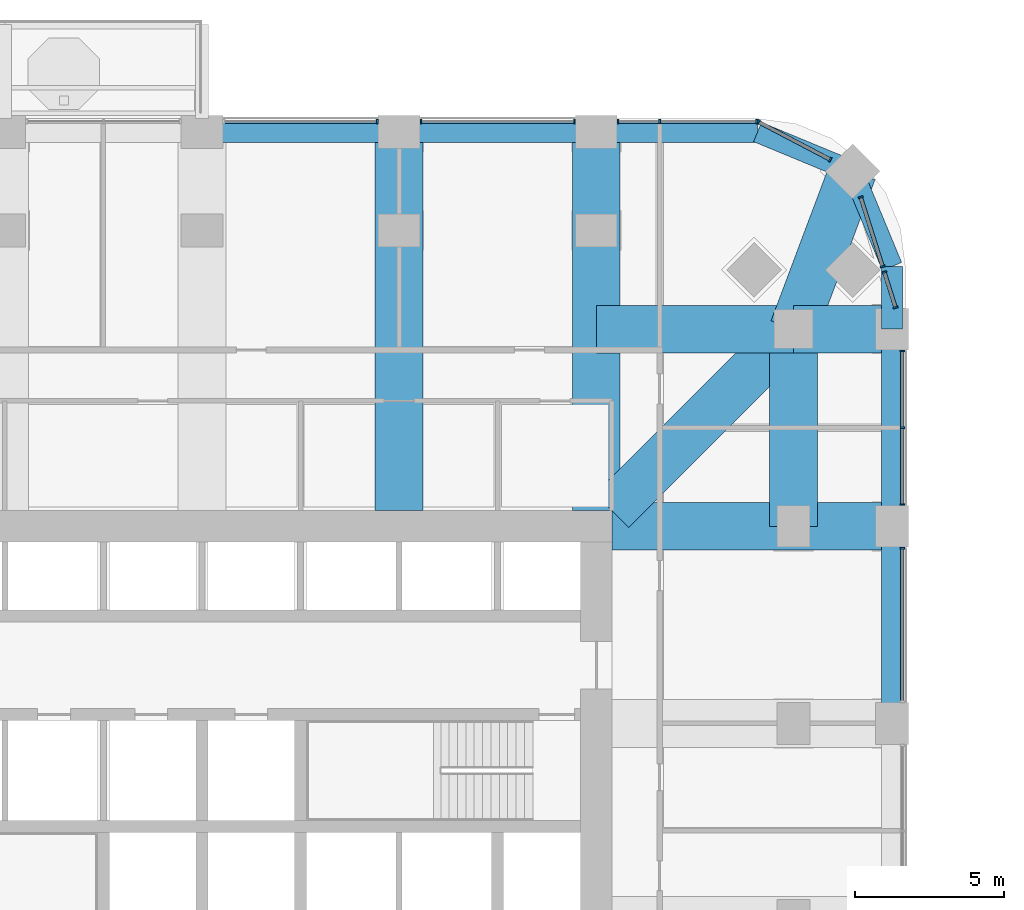
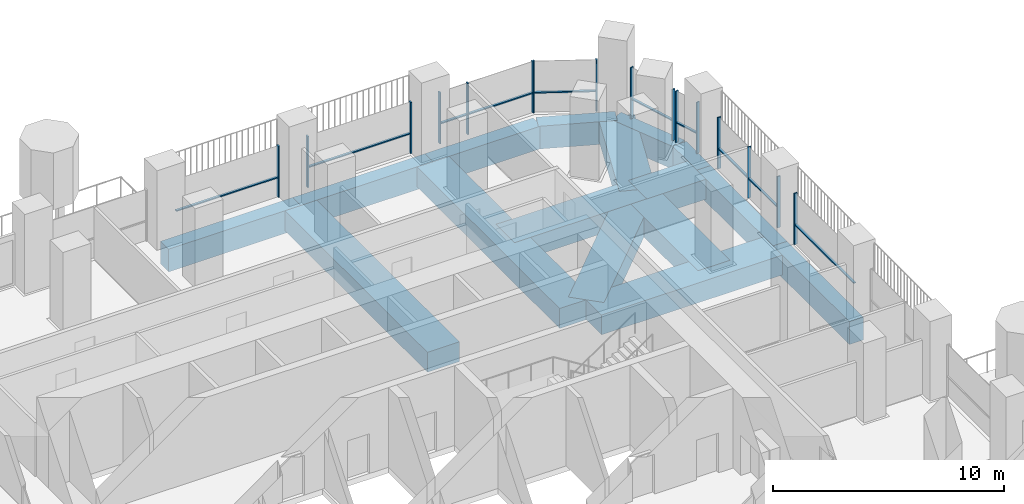
# One storey, part 7 of 21: 26 members, 16 beams, 8 elements without a shape of their own.
"""IFC4 building model written with IfcOpenShell, lengths in metres."""

from ifc_helpers import new_model, si_unit, direction, frame, origin, origin_2d, place, context, subcontext, project, spatial, rectangle, extrude, material, material_profile, profile_set, type_object, element, aggregate, save


model = new_model("IFC4")

# Units and contexts
model_context = context("Model", 3, precision=1e-05, world=origin(), true_north=direction((0.0, 1.0)))
body_context = subcontext(model_context, "Body", "Model", "MODEL_VIEW")
ifc_project = project(units=[si_unit("LENGTHUNIT", "METRE"), si_unit("AREAUNIT", "SQUARE_METRE"), si_unit("VOLUMEUNIT", "CUBIC_METRE"), si_unit("PLANEANGLEUNIT", "RADIAN"), si_unit("MASSUNIT", "GRAM", prefix="KILO")], contexts=[model_context])

# Site, building, storey
site_placement = place(None, origin())
site = spatial("IfcSite", under=ifc_project, at=site_placement, CompositionType="ELEMENT")
building_placement = place(site_placement, origin())
building = spatial("IfcBuilding", under=site, at=building_placement, Name="Cobogo Forest Laboratory Tower", CompositionType="ELEMENT")
storey_placement = place(building_placement, frame((0.0, 0.0, 132.60009765625)))
storey = spatial("IfcBuildingStorey", under=building, at=storey_placement, Name="L30", CompositionType="ELEMENT", Elevation=132.60009765625)

# Beams
ifc_material_1 = material(Name="Concrete HA-50 (C50/60)", Category="concrete")
ifc_material_profile_1 = material_profile(ifc_material_1, rectangle(XDim=1.60009765625, YDim=1.050048828125, at=origin_2d()), Name="RC 1600x1050")
ifc_profile_set_1 = profile_set([ifc_material_profile_1], Name="Concrete HA-50 (C50/60)")
beam_type_1 = type_object("IfcBeamType", Name="Laboratory floor wide beam 1600x1050", PredefinedType="BEAM", material=ifc_profile_set_1)
for number, where, z_axis, x_axis, name in (
    (1, (33.0, 33.52490234375, -0.8251953125), (0.0, 1.0, 0.0), (-1.0, 0.0, 0.0), "RB8 R-6-N L30"),
    (2, (39.60009765625, 33.52490234375, -0.8251953125), (0.0, 1.0, 0.0), (-1.0, 0.0, 0.0), "RB8 R-7-N L30"),
):
    element("IfcBeam", number, at=place(storey_placement, frame(where, z_axis=z_axis, x_axis=x_axis)), inside=storey, type_object=beam_type_1, Name=name, PredefinedType="BEAM", context=body_context, shape_type="SweptSolid", body=[
        extrude(rectangle(XDim=1.60009765625, YDim=1.050048828125, at=origin_2d()), origin(), (0.0, 0.0, 1.0), 12.675048828125),
    ])
beam_1_placement = place(storey_placement, frame((40.125, 33.0, -0.8251953125), z_axis=(1.0, 0.0, 0.0), x_axis=(0.0, 1.0, 0.0)))
element("IfcBeam", 3, at=beam_1_placement, inside=storey, type_object=beam_type_1, Name="RB8 R-F-E L30", PredefinedType="BEAM", context=body_context, shape_type="SweptSolid", body=[
    extrude(rectangle(XDim=1.60009765625, YDim=1.050048828125, at=origin_2d()), origin(), (0.0, 0.0, 1.0), 9.375),
])
beam_2_placement = place(storey_placement, frame((46.199951171875, 39.60009765625, -0.8251953125), z_axis=(0.0, -1.0, 0.0), x_axis=(1.0, 0.0, 0.0)))
element("IfcBeam", 4, at=beam_2_placement, inside=storey, type_object=beam_type_1, Name="RB8 G-NE-XC L30", PredefinedType="BEAM", context=body_context, shape_type="SweptSolid", body=[
    extrude(rectangle(XDim=1.60009765625, YDim=1.050048828125, at=origin_2d()), origin(), (0.0, 0.0, 1.0), 6.60009765625),
])
beam_3_placement = place(storey_placement, frame((49.5, 39.60009765625, -0.8251953125), z_axis=(-1.0, 0.0, 0.0), x_axis=(0.0, -1.0, 0.0)))
element("IfcBeam", 5, at=beam_3_placement, inside=storey, type_object=beam_type_1, Name="RB8 G-NE-YF L30", PredefinedType="BEAM", context=body_context, shape_type="SweptSolid", body=[
    extrude(rectangle(XDim=1.60009765625, YDim=1.050048828125, at=origin_2d()), origin(), (0.0, 0.0, 1.0), 3.300048828125),
])
beam_4_placement = place(storey_placement, frame((46.199951171875, 39.60009765625, -0.8251953125), z_axis=(-1.0, 0.0, 0.0), x_axis=(0.0, -1.0, 0.0)))
element("IfcBeam", 6, at=beam_4_placement, inside=storey, type_object=beam_type_1, Name="RB8 G-NE-YC L30", PredefinedType="BEAM", context=body_context, shape_type="SweptSolid", body=[
    extrude(rectangle(XDim=1.60009765625, YDim=1.050048828125, at=origin_2d()), origin(), (0.0, 0.0, 1.0), 6.599853515625),
])
beam_5_placement = place(storey_placement, frame((48.181884765625, 44.882080078125, -0.8251953125), z_axis=(-0.351308391925, -0.936259800356, 0.0), x_axis=(0.936259800356, -0.351308391925, 0.0)))
element("IfcBeam", 7, at=beam_5_placement, inside=storey, type_object=beam_type_1, Name="RB8 G-NE-D1 L30", PredefinedType="BEAM", context=body_context, shape_type="SweptSolid", body=[
    extrude(rectangle(XDim=1.60009765625, YDim=1.050048828125, at=origin_2d()), origin(), (0.0, 0.0, 1.0), 5.6416015625),
])
beam_6_placement = place(storey_placement, frame((46.199951171875, 39.60009765625, -0.8251953125), z_axis=(-0.707092572697, -0.70712098939, 0.0), x_axis=(0.70712098939, -0.707092572697, 0.0)))
element("IfcBeam", 8, at=beam_6_placement, inside=storey, type_object=beam_type_1, Name="RB8 G-NE-D2 L30", PredefinedType="BEAM", context=body_context, shape_type="SweptSolid", body=[
    extrude(rectangle(XDim=1.60009765625, YDim=1.050048828125, at=origin_2d()), origin(), (0.0, 0.0, 1.0), 8.591552734375),
])

# Curtain wall, member
ifc_material_2 = material(Name="Aluminium curtain wall", Category="aluminium")
curtain_wall_type = type_object("IfcCurtainWallType", Name="CW-1 unitised curtain wall, clear glazing, laboratory floors zones A and B", PredefinedType="USERDEFINED", material=ifc_material_2)
curtain_wall_1_placement = place(storey_placement, origin())
curtain_wall_1 = element("IfcCurtainWall", 9, at=curtain_wall_1_placement, inside=storey, type_object=curtain_wall_type, Name="Curtain wall 13 L30", ObjectType="UNITISED CURTAIN WALL", PredefinedType="USERDEFINED")
ifc_material_3 = material(Name="Aluminium mullion", Category="aluminium")
ifc_material_profile_2 = material_profile(ifc_material_3, rectangle(XDim=0.06005859375, YDim=0.159912109375, at=origin_2d()), Name="AL 60x160")
ifc_profile_set_2 = profile_set([ifc_material_profile_2], Name="Aluminium mullion")
member_type_1 = type_object("IfcMemberType", Name="MU-1 aluminium mullion 60x160", PredefinedType="MULLION", material=ifc_profile_set_2)
member_1_placement = place(storey_placement, frame((49.85009765625, 32.27001953125, 0.0), z_axis=(0.0, 0.0, 1.0), x_axis=(0.0, 1.0, 0.0)))
member_1 = element("IfcMember", 10, at=member_1_placement, type_object=member_type_1, Name="CW-1 mullion 2", PredefinedType="MULLION", context=body_context, shape_type="SweptSolid", body=[
    extrude(rectangle(XDim=0.06005859375, YDim=0.159912109375, at=origin_2d()), origin(), (0.0, 0.0, 1.0), 2.699951171875),
])

# Curtain wall, members
curtain_wall_2_placement = place(storey_placement, origin())
curtain_wall_2 = element("IfcCurtainWall", 11, at=curtain_wall_2_placement, inside=storey, type_object=curtain_wall_type, Name="Curtain wall 14 L30", ObjectType="UNITISED CURTAIN WALL", PredefinedType="USERDEFINED")
member_2_placement = place(storey_placement, frame((49.85009765625, 33.72998046875, 0.0), z_axis=(0.0, 0.0, 1.0), x_axis=(0.0, 1.0, 0.0)))
member_2 = element("IfcMember", 12, at=member_2_placement, type_object=member_type_1, Name="CW-1 mullion 1", PredefinedType="MULLION", context=body_context, shape_type="SweptSolid", body=[
    extrude(rectangle(XDim=0.06005859375, YDim=0.159912109375, at=origin_2d()), origin(), (0.0, 0.0, 1.0), 2.699951171875),
])
member_3_placement = place(storey_placement, frame((49.85009765625, 36.300048828125, 0.0), z_axis=(0.0, 0.0, 1.0), x_axis=(0.0, 1.0, 0.0)))
member_3 = element("IfcMember", 13, at=member_3_placement, type_object=member_type_1, Name="CW-1 mullion 2", PredefinedType="MULLION", context=body_context, shape_type="SweptSolid", body=[
    extrude(rectangle(XDim=0.06005859375, YDim=0.159912109375, at=origin_2d()), origin(), (0.0, 0.0, 1.0), 2.699951171875),
])
member_4_placement = place(storey_placement, frame((49.85009765625, 38.8701171875, 0.0), z_axis=(0.0, 0.0, 1.0), x_axis=(0.0, 1.0, 0.0)))
member_4 = element("IfcMember", 14, at=member_4_placement, type_object=member_type_1, Name="CW-1 mullion 3", PredefinedType="MULLION", context=body_context, shape_type="SweptSolid", body=[
    extrude(rectangle(XDim=0.06005859375, YDim=0.159912109375, at=origin_2d()), origin(), (0.0, 0.0, 1.0), 2.699951171875),
])

curtain_wall_3_placement = place(storey_placement, origin())
curtain_wall_3 = element("IfcCurtainWall", 15, at=curtain_wall_3_placement, inside=storey, type_object=curtain_wall_type, Name="Curtain wall 15 L30", ObjectType="UNITISED CURTAIN WALL", PredefinedType="USERDEFINED")
member_5_placement = place(storey_placement, frame((49.619873046875, 40.32861328125, 0.0), z_axis=(0.0, 0.0, 1.0), x_axis=(-0.301135356805, 0.953581405483, 0.0)))
member_5 = element("IfcMember", 16, at=member_5_placement, type_object=member_type_1, Name="CW-1 mullion 1", PredefinedType="MULLION", context=body_context, shape_type="SweptSolid", body=[
    extrude(rectangle(XDim=0.06005859375, YDim=0.159912109375, at=origin_2d()), origin(), (0.0, 0.0, 1.0), 2.699951171875),
])
member_6_placement = place(storey_placement, frame((49.247802734375, 41.507080078125, 0.0), z_axis=(0.0, 0.0, 1.0), x_axis=(-0.301135356805, 0.953581405483, 0.0)))
member_6 = element("IfcMember", 17, at=member_6_placement, type_object=member_type_1, Name="CW-1 mullion 2", PredefinedType="MULLION", context=body_context, shape_type="SweptSolid", body=[
    extrude(rectangle(XDim=0.06005859375, YDim=0.159912109375, at=origin_2d()), origin(), (0.0, 0.0, 1.0), 2.699951171875),
])

curtain_wall_4_placement = place(storey_placement, origin())
curtain_wall_4 = element("IfcCurtainWall", 18, at=curtain_wall_4_placement, inside=storey, type_object=curtain_wall_type, Name="Curtain wall 16 L30", ObjectType="UNITISED CURTAIN WALL", PredefinedType="USERDEFINED")
member_7_placement = place(storey_placement, frame((49.18701171875, 41.69970703125, 0.0), z_axis=(0.0, 0.0, 1.0), x_axis=(-0.301135291996, 0.953581425949, 0.0)))
member_7 = element("IfcMember", 19, at=member_7_placement, type_object=member_type_1, Name="CW-1 mullion 1", PredefinedType="MULLION", context=body_context, shape_type="SweptSolid", body=[
    extrude(rectangle(XDim=0.06005859375, YDim=0.159912109375, at=origin_2d()), origin(), (0.0, 0.0, 1.0), 2.699951171875),
])
member_8_placement = place(storey_placement, frame((48.455810546875, 44.01513671875, 0.0), z_axis=(0.0, 0.0, 1.0), x_axis=(-0.301135291996, 0.953581425949, 0.0)))
member_8 = element("IfcMember", 20, at=member_8_placement, type_object=member_type_1, Name="CW-1 mullion 2", PredefinedType="MULLION", context=body_context, shape_type="SweptSolid", body=[
    extrude(rectangle(XDim=0.06005859375, YDim=0.159912109375, at=origin_2d()), origin(), (0.0, 0.0, 1.0), 2.699951171875),
])

curtain_wall_5_placement = place(storey_placement, origin())
curtain_wall_5 = element("IfcCurtainWall", 21, at=curtain_wall_5_placement, inside=storey, type_object=curtain_wall_type, Name="Curtain wall 17 L30", ObjectType="UNITISED CURTAIN WALL", PredefinedType="USERDEFINED")
member_9_placement = place(storey_placement, frame((47.431640625, 45.275390625, 0.0), z_axis=(0.0, 0.0, 1.0), x_axis=(-0.885686547075, 0.464283685186, 0.0)))
member_9 = element("IfcMember", 22, at=member_9_placement, type_object=member_type_1, Name="CW-1 mullion 1", PredefinedType="MULLION", context=body_context, shape_type="SweptSolid", body=[
    extrude(rectangle(XDim=0.06005859375, YDim=0.159912109375, at=origin_2d()), origin(), (0.0, 0.0, 1.0), 2.699951171875),
])
member_10_placement = place(storey_placement, frame((45.026611328125, 46.5361328125, 0.0), z_axis=(0.0, 0.0, 1.0), x_axis=(-0.885686547075, 0.464283685186, 0.0)))
member_10 = element("IfcMember", 23, at=member_10_placement, type_object=member_type_1, Name="CW-1 mullion 2", PredefinedType="MULLION", context=body_context, shape_type="SweptSolid", body=[
    extrude(rectangle(XDim=0.06005859375, YDim=0.159912109375, at=origin_2d()), origin(), (0.0, 0.0, 1.0), 2.699951171875),
])

curtain_wall_6_placement = place(storey_placement, origin())
curtain_wall_6 = element("IfcCurtainWall", 24, at=curtain_wall_6_placement, inside=storey, type_object=curtain_wall_type, Name="Curtain wall 18 L30", ObjectType="UNITISED CURTAIN WALL", PredefinedType="USERDEFINED")
member_11_placement = place(storey_placement, frame((44.969970703125, 46.550048828125, 0.0), z_axis=(0.0, 0.0, 1.0), x_axis=(-1.0, 0.0, 0.0)))
member_11 = element("IfcMember", 25, at=member_11_placement, type_object=member_type_1, Name="CW-1 mullion 1", PredefinedType="MULLION", context=body_context, shape_type="SweptSolid", body=[
    extrude(rectangle(XDim=0.06005859375, YDim=0.159912109375, at=origin_2d()), origin(), (0.0, 0.0, 1.0), 2.699951171875),
])
member_12_placement = place(storey_placement, frame((41.72509765625, 46.550048828125, 0.0), z_axis=(0.0, 0.0, 1.0), x_axis=(-1.0, 0.0, 0.0)))
member_12 = element("IfcMember", 26, at=member_12_placement, type_object=member_type_1, Name="CW-1 mullion 2", PredefinedType="MULLION", context=body_context, shape_type="SweptSolid", body=[
    extrude(rectangle(XDim=0.06005859375, YDim=0.159912109375, at=origin_2d()), origin(), (0.0, 0.0, 1.0), 2.699951171875),
])
member_13_placement = place(storey_placement, frame((40.330078125, 46.550048828125, 0.0), z_axis=(0.0, 0.0, 1.0), x_axis=(-1.0, 0.0, 0.0)))
member_13 = element("IfcMember", 27, at=member_13_placement, type_object=member_type_1, Name="CW-1 mullion 3", PredefinedType="MULLION", context=body_context, shape_type="SweptSolid", body=[
    extrude(rectangle(XDim=0.06005859375, YDim=0.159912109375, at=origin_2d()), origin(), (0.0, 0.0, 1.0), 2.699951171875),
])

curtain_wall_7_placement = place(storey_placement, origin())
curtain_wall_7 = element("IfcCurtainWall", 28, at=curtain_wall_7_placement, inside=storey, type_object=curtain_wall_type, Name="Curtain wall 19 L30", ObjectType="UNITISED CURTAIN WALL", PredefinedType="USERDEFINED")
member_14_placement = place(storey_placement, frame((38.8701171875, 46.550048828125, 0.0), z_axis=(0.0, 0.0, 1.0), x_axis=(-1.0, 0.0, 0.0)))
member_14 = element("IfcMember", 29, at=member_14_placement, type_object=member_type_1, Name="CW-1 mullion 1", PredefinedType="MULLION", context=body_context, shape_type="SweptSolid", body=[
    extrude(rectangle(XDim=0.06005859375, YDim=0.159912109375, at=origin_2d()), origin(), (0.0, 0.0, 1.0), 2.699951171875),
])
member_15_placement = place(storey_placement, frame((33.72998046875, 46.550048828125, 0.0), z_axis=(0.0, 0.0, 1.0), x_axis=(-1.0, 0.0, 0.0)))
member_15 = element("IfcMember", 30, at=member_15_placement, type_object=member_type_1, Name="CW-1 mullion 2", PredefinedType="MULLION", context=body_context, shape_type="SweptSolid", body=[
    extrude(rectangle(XDim=0.06005859375, YDim=0.159912109375, at=origin_2d()), origin(), (0.0, 0.0, 1.0), 2.699951171875),
])

# Curtain wall, member
curtain_wall_8_placement = place(storey_placement, origin())
curtain_wall_8 = element("IfcCurtainWall", 31, at=curtain_wall_8_placement, inside=storey, type_object=curtain_wall_type, Name="Curtain wall 20 L30", ObjectType="UNITISED CURTAIN WALL", PredefinedType="USERDEFINED")
member_16_placement = place(storey_placement, frame((32.27001953125, 46.550048828125, 0.0), z_axis=(0.0, 0.0, 1.0), x_axis=(-1.0, 0.0, 0.0)))
member_16 = element("IfcMember", 32, at=member_16_placement, type_object=member_type_1, Name="CW-1 mullion 1", PredefinedType="MULLION", context=body_context, shape_type="SweptSolid", body=[
    extrude(rectangle(XDim=0.06005859375, YDim=0.159912109375, at=origin_2d()), origin(), (0.0, 0.0, 1.0), 2.699951171875),
])

# Beams
ifc_material_4 = material(Name="Concrete HA-40 (C40/50)", Category="concrete")
ifc_material_profile_3 = material_profile(ifc_material_4, rectangle(XDim=0.699951171875, YDim=1.199951171875, at=origin_2d()), Name="RC 700x1200")
ifc_profile_set_3 = profile_set([ifc_material_profile_3], Name="Concrete HA-40 (C40/50)")
beam_type_2 = type_object("IfcBeamType", Name="Perimeter edge beam 700x1200", PredefinedType="BEAM", material=ifc_profile_set_3)
for number, where, z_axis, x_axis, name in (
    (33, (49.5, 26.39990234375, -0.900146484375), (0.0, 1.0, 0.0), (-1.0, 0.0, 0.0), "EB1 E-E4 L30"),
    (34, (49.5, 33.0, -0.900146484375), (0.0, 1.0, 0.0), (-1.0, 0.0, 0.0), "EB1 E-E5 L30"),
    (35, (26.39990234375, 46.199951171875, -0.900146484375), (1.0, 0.0, 0.0), (0.0, 1.0, 0.0), "EB1 E-N3 L30"),
    (36, (33.0, 46.199951171875, -0.900146484375), (1.0, 0.0, 0.0), (0.0, 1.0, 0.0), "EB1 E-N4 L30"),
):
    element("IfcBeam", number, at=place(storey_placement, frame(where, z_axis=z_axis, x_axis=x_axis)), inside=storey, type_object=beam_type_2, Name=name, PredefinedType="BEAM", context=body_context, shape_type="SweptSolid", body=[
        extrude(rectangle(XDim=0.699951171875, YDim=1.199951171875, at=origin_2d()), origin(), (0.0, 0.0, 1.0), 6.60009765625),
    ])
beam_7_placement = place(storey_placement, frame((49.5, 39.60009765625, -0.900146484375), z_axis=(0.0, 1.0, 0.0), x_axis=(-1.0, 0.0, 0.0)))
element("IfcBeam", 37, at=beam_7_placement, inside=storey, type_object=beam_type_2, Name="EB1 E-NEE1 L30", PredefinedType="BEAM", context=body_context, shape_type="SweptSolid", body=[
    extrude(rectangle(XDim=0.699951171875, YDim=1.199951171875, at=origin_2d()), origin(), (0.0, 0.0, 1.0), 2.099853515625),
])
beam_8_placement = place(storey_placement, frame((49.5, 41.699951171875, -0.900146484375), z_axis=(-0.382691928466, 0.923876013265, 0.0), x_axis=(-0.923876013265, -0.382691928466, 0.0)))
element("IfcBeam", 38, at=beam_8_placement, inside=storey, type_object=beam_type_2, Name="EB1 E-NEE2 L30", PredefinedType="BEAM", context=body_context, shape_type="SweptSolid", body=[
    extrude(rectangle(XDim=0.699951171875, YDim=1.199951171875, at=origin_2d()), origin(), (0.0, 0.0, 1.0), 3.4443359375),
])
beam_9_placement = place(storey_placement, frame((39.60009765625, 46.199951171875, -0.900146484375), z_axis=(1.0, 0.0, 0.0), x_axis=(0.0, 1.0, 0.0)))
element("IfcBeam", 39, at=beam_9_placement, inside=storey, type_object=beam_type_2, Name="EB1 E-NEN1 L30", PredefinedType="BEAM", context=body_context, shape_type="SweptSolid", body=[
    extrude(rectangle(XDim=0.699951171875, YDim=1.199951171875, at=origin_2d()), origin(), (0.0, 0.0, 1.0), 5.39990234375),
])
beam_10_placement = place(storey_placement, frame((45.0, 46.199951171875, -0.900146484375), z_axis=(0.923890694089, -0.382656484822, 0.0), x_axis=(0.382656484822, 0.923890694089, 0.0)))
element("IfcBeam", 40, at=beam_10_placement, inside=storey, type_object=beam_type_2, Name="EB1 E-NEN2 L30", PredefinedType="BEAM", context=body_context, shape_type="SweptSolid", body=[
    extrude(rectangle(XDim=0.699951171875, YDim=1.199951171875, at=origin_2d()), origin(), (0.0, 0.0, 1.0), 3.444091796875),
])

# Member
ifc_material_5 = material(Name="Aluminium transom", Category="aluminium")
ifc_material_profile_4 = material_profile(ifc_material_5, rectangle(XDim=0.1201171875, YDim=0.06005859375, at=origin_2d()), Name="AL 60x120")
ifc_profile_set_4 = profile_set([ifc_material_profile_4], Name="Aluminium transom")
member_type_2 = type_object("IfcMemberType", Name="TR-1 aluminium transom 60x120", PredefinedType="USERDEFINED", material=ifc_profile_set_4)
member_17_placement = place(storey_placement, frame((49.85009765625, 27.159912109375, 1.0498046875), z_axis=(0.0, 1.0, 0.0), x_axis=(-1.0, 0.0, 0.0)))
member_17 = element("IfcMember", 41, at=member_17_placement, type_object=member_type_2, Name="CW-1 transom 1.1", ObjectType="TRANSOM", PredefinedType="USERDEFINED", context=body_context, shape_type="SweptSolid", body=[
    extrude(rectangle(XDim=0.1201171875, YDim=0.06005859375, at=origin_2d()), origin(), (0.0, 0.0, 1.0), 5.080078125),
])

aggregate(curtain_wall_1, [member_1, member_17])

member_18_placement = place(storey_placement, frame((49.85009765625, 33.760009765625, 1.0498046875), z_axis=(0.0, 1.0, 0.0), x_axis=(-1.0, 0.0, 0.0)))
member_18 = element("IfcMember", 42, at=member_18_placement, type_object=member_type_2, Name="CW-1 transom 1.1", ObjectType="TRANSOM", PredefinedType="USERDEFINED", context=body_context, shape_type="SweptSolid", body=[
    extrude(rectangle(XDim=0.1201171875, YDim=0.06005859375, at=origin_2d()), origin(), (0.0, 0.0, 1.0), 2.510009765625),
])

member_19_placement = place(storey_placement, frame((49.85009765625, 36.330078125, 1.0498046875), z_axis=(0.0, 1.0, 0.0), x_axis=(-1.0, 0.0, 0.0)))
member_19 = element("IfcMember", 43, at=member_19_placement, type_object=member_type_2, Name="CW-1 transom 2.1", ObjectType="TRANSOM", PredefinedType="USERDEFINED", context=body_context, shape_type="SweptSolid", body=[
    extrude(rectangle(XDim=0.1201171875, YDim=0.06005859375, at=origin_2d()), origin(), (0.0, 0.0, 1.0), 2.510009765625),
])

aggregate(curtain_wall_2, [member_2, member_3, member_4, member_18, member_19])

member_20_placement = place(storey_placement, frame((49.61083984375, 40.357177734375, 1.0498046875), z_axis=(-0.301051874343, 0.953607764731, 0.0), x_axis=(-0.953607764731, -0.301051874343, 0.0)))
member_20 = element("IfcMember", 44, at=member_20_placement, type_object=member_type_2, Name="CW-1 transom 1.1", ObjectType="TRANSOM", PredefinedType="USERDEFINED", context=body_context, shape_type="SweptSolid", body=[
    extrude(rectangle(XDim=0.1201171875, YDim=0.06005859375, at=origin_2d()), origin(), (0.0, 0.0, 1.0), 1.17578125),
])

aggregate(curtain_wall_3, [member_5, member_6, member_20])

member_21_placement = place(storey_placement, frame((49.177978515625, 41.728271484375, 1.0498046875), z_axis=(-0.301156039198, 0.953574873859, 0.0), x_axis=(-0.953574873859, -0.301156039198, 0.0)))
member_21 = element("IfcMember", 45, at=member_21_placement, type_object=member_type_2, Name="CW-1 transom 1.1", ObjectType="TRANSOM", PredefinedType="USERDEFINED", context=body_context, shape_type="SweptSolid", body=[
    extrude(rectangle(XDim=0.1201171875, YDim=0.06005859375, at=origin_2d()), origin(), (0.0, 0.0, 1.0), 2.367919921875),
])

aggregate(curtain_wall_4, [member_7, member_8, member_21])

member_22_placement = place(storey_placement, frame((47.405029296875, 45.289306640625, 1.0498046875), z_axis=(-0.885674922116, 0.464305860758, 0.0), x_axis=(-0.464305860758, -0.885674922116, 0.0)))
member_22 = element("IfcMember", 46, at=member_22_placement, type_object=member_type_2, Name="CW-1 transom 1.1", ObjectType="TRANSOM", PredefinedType="USERDEFINED", context=body_context, shape_type="SweptSolid", body=[
    extrude(rectangle(XDim=0.1201171875, YDim=0.06005859375, at=origin_2d()), origin(), (0.0, 0.0, 1.0), 2.6552734375),
])

aggregate(curtain_wall_5, [member_9, member_10, member_22])

member_23_placement = place(storey_placement, frame((44.93994140625, 46.550048828125, 1.0498046875), z_axis=(-1.0, 0.0, 0.0), x_axis=(0.0, -1.0, 0.0)))
member_23 = element("IfcMember", 47, at=member_23_placement, type_object=member_type_2, Name="CW-1 transom 1.1", ObjectType="TRANSOM", PredefinedType="USERDEFINED", context=body_context, shape_type="SweptSolid", body=[
    extrude(rectangle(XDim=0.1201171875, YDim=0.06005859375, at=origin_2d()), origin(), (0.0, 0.0, 1.0), 3.18505859375),
])

member_24_placement = place(storey_placement, frame((41.695068359375, 46.550048828125, 1.0498046875), z_axis=(-1.0, 0.0, 0.0), x_axis=(0.0, -1.0, 0.0)))
member_24 = element("IfcMember", 48, at=member_24_placement, type_object=member_type_2, Name="CW-1 transom 2.1", ObjectType="TRANSOM", PredefinedType="USERDEFINED", context=body_context, shape_type="SweptSolid", body=[
    extrude(rectangle(XDim=0.1201171875, YDim=0.06005859375, at=origin_2d()), origin(), (0.0, 0.0, 1.0), 1.3349609375),
])

aggregate(curtain_wall_6, [member_11, member_12, member_13, member_23, member_24])

member_25_placement = place(storey_placement, frame((38.840087890625, 46.550048828125, 1.0498046875), z_axis=(-1.0, 0.0, 0.0), x_axis=(0.0, -1.0, 0.0)))
member_25 = element("IfcMember", 49, at=member_25_placement, type_object=member_type_2, Name="CW-1 transom 1.1", ObjectType="TRANSOM", PredefinedType="USERDEFINED", context=body_context, shape_type="SweptSolid", body=[
    extrude(rectangle(XDim=0.1201171875, YDim=0.06005859375, at=origin_2d()), origin(), (0.0, 0.0, 1.0), 5.080078125),
])

aggregate(curtain_wall_7, [member_14, member_15, member_25])

member_26_placement = place(storey_placement, frame((32.239990234375, 46.550048828125, 1.0498046875), z_axis=(-1.0, 0.0, 0.0), x_axis=(0.0, -1.0, 0.0)))
member_26 = element("IfcMember", 50, at=member_26_placement, type_object=member_type_2, Name="CW-1 transom 1.1", ObjectType="TRANSOM", PredefinedType="USERDEFINED", context=body_context, shape_type="SweptSolid", body=[
    extrude(rectangle(XDim=0.1201171875, YDim=0.06005859375, at=origin_2d()), origin(), (0.0, 0.0, 1.0), 5.080078125),
])

aggregate(curtain_wall_8, [member_16, member_26])

save(model, "model.ifc")
